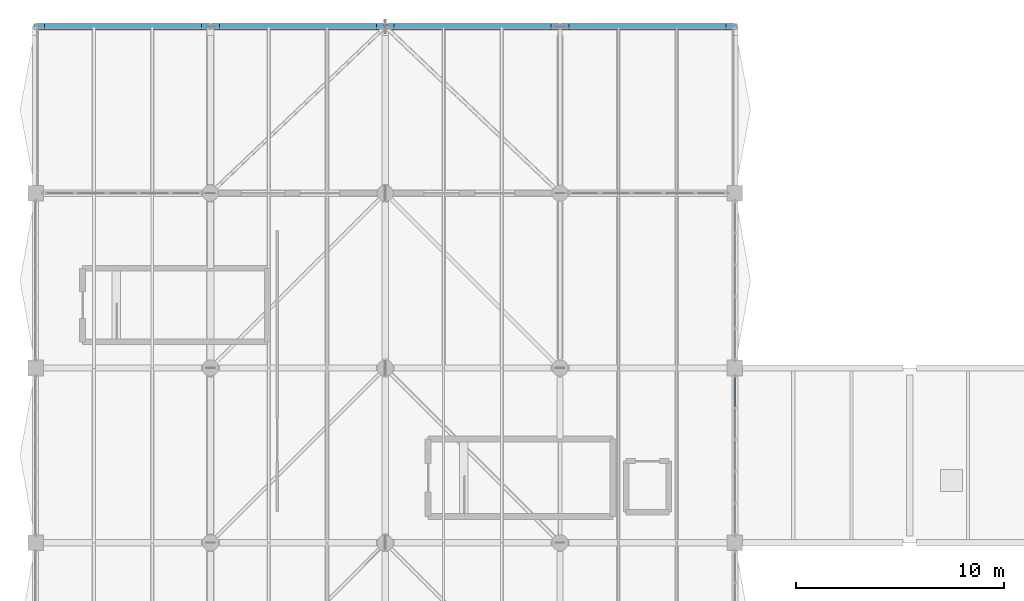
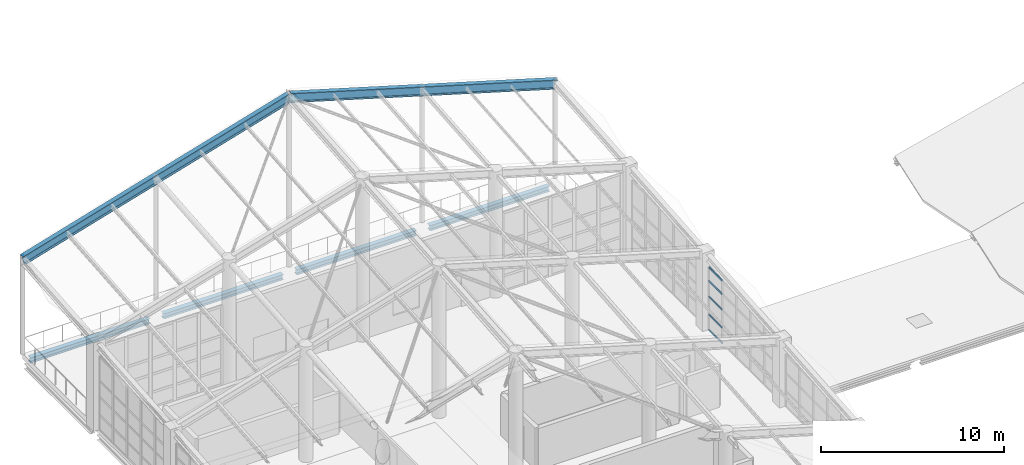
# One storey, part 48 of 95: 7 members, 4 beams, 1 element without a shape of its own.
"""IFC4 building model written with IfcOpenShell, lengths in metres."""

from ifc_helpers import new_model, si_unit, direction, frame, origin, origin_2d, place, context, subcontext, project, spatial, hollow_rectangle, i_section, extrude, material, layer, layer_set, material_profile, profile_set, type_object, element, aggregate, save


model = new_model("IFC4")

# Units and contexts
model_context = context("Model", 3, precision=1e-05, world=origin(), true_north=direction((0.0, 1.0)))
body_context = subcontext(model_context, "Body", "Model", "MODEL_VIEW")
ifc_project = project(units=[si_unit("LENGTHUNIT", "METRE"), si_unit("AREAUNIT", "SQUARE_METRE"), si_unit("VOLUMEUNIT", "CUBIC_METRE"), si_unit("PLANEANGLEUNIT", "RADIAN"), si_unit("MASSUNIT", "GRAM", prefix="KILO"), si_unit("THERMODYNAMICTEMPERATUREUNIT", "KELVIN"), si_unit("POWERUNIT", "WATT")], contexts=[model_context])

# Site, building, storey
site_placement = place(None, origin())
site = spatial("IfcSite", under=ifc_project, at=site_placement, CompositionType="ELEMENT")
building_placement = place(site_placement, origin())
building = spatial("IfcBuilding", under=site, at=building_placement, Name="Mavoryth Pier Ferry Terminal", CompositionType="ELEMENT")
storey_placement = place(building_placement, frame((0.0, 0.0, 9.60009765625)))
storey = spatial("IfcBuildingStorey", under=building, at=storey_placement, Name="L02", CompositionType="ELEMENT", Elevation=9.60009765625)

# Members
ifc_material_1 = material(Name="Steel S355J2", Category="steel")
ifc_material_profile_1 = material_profile(ifc_material_1, i_section(OverallWidth=0.300048828125, OverallDepth=0.60009765625, WebThickness=0.015380859375, FlangeThickness=0.030029296875, FilletRadius=0.027099609375, at=origin_2d()), Name="HEB 600", Category="steel")
ifc_profile_set_1 = profile_set([ifc_material_profile_1], Name="Steel S355J2 - HEB 600")
member_type_1 = type_object("IfcMemberType", Name="Rafter-Folded-HEB600", PredefinedType="RAFTER", material=ifc_profile_set_1)
for number, where, z_axis, x_axis, name in (
    (1, (0.0, 114.0, 6.266845703125), (0.958821022036, 0.0, 0.284010999261), (0.0, 1.0, 0.0), "Steel Member MB-L02-0023"),
    (2, (16.800048828125, 114.0, 11.2431640625), (0.958821022036, 0.0, -0.284010999261), (0.0, 1.0, 0.0), "Steel Member MB-L02-0024"),
):
    element("IfcMember", number, at=place(storey_placement, frame(where, z_axis=z_axis, x_axis=x_axis)), inside=storey, type_object=member_type_1, Name=name, PredefinedType="RAFTER", context=body_context, shape_type="SweptSolid", body=[
        extrude(i_section(OverallWidth=0.300048828125, OverallDepth=0.60009765625, WebThickness=0.015380859375, FlangeThickness=0.030029296875, FilletRadius=0.027099609375, at=origin_2d()), origin(), (0.0, 0.0, 1.0), 17.521484375),
    ])

# Beams
ifc_material_profile_2 = material_profile(ifc_material_1, i_section(OverallWidth=0.300048828125, OverallDepth=0.35009765625, WebThickness=0.010009765625, FlangeThickness=0.017578125, FilletRadius=0.027099609375, at=origin_2d()), Name="HEA 360", Category="steel")
ifc_profile_set_2 = profile_set([ifc_material_profile_2], Name="Steel S355J2 - HEA 360")
beam_type = type_object("IfcBeamType", Name="Spandrel-Steel-HEA360", PredefinedType="SPANDREL", material=ifc_profile_set_2)
for number, where, z_axis, x_axis, name in (
    (3, (0.425048828125, 114.0, -0.53515625), (1.0, 0.0, 0.0), (0.0, 1.0, 0.0), "Beam B02-SP03-0624"),
    (4, (8.824951171875, 114.0, -0.53515625), (1.0, 0.0, 0.0), (0.0, 1.0, 0.0), "Beam B02-SP03-0625"),
):
    element("IfcBeam", number, at=place(storey_placement, frame(where, z_axis=z_axis, x_axis=x_axis)), inside=storey, type_object=beam_type, Name=name, PredefinedType="SPANDREL", context=body_context, shape_type="SweptSolid", body=[
        extrude(i_section(OverallWidth=0.300048828125, OverallDepth=0.35009765625, WebThickness=0.010009765625, FlangeThickness=0.017578125, FilletRadius=0.027099609375, at=origin_2d()), origin(), (0.0, 0.0, 1.0), 7.550048828125),
    ])
beam_1_placement = place(storey_placement, frame((17.22509765625, 114.0, -0.53515625), z_axis=(1.0, 0.0, 0.0), x_axis=(0.0, 1.0, 0.0)))
element("IfcBeam", 5, at=beam_1_placement, inside=storey, type_object=beam_type, Name="Beam B02-SP03-0626", PredefinedType="SPANDREL", context=body_context, shape_type="SweptSolid", body=[
    extrude(i_section(OverallWidth=0.300048828125, OverallDepth=0.35009765625, WebThickness=0.010009765625, FlangeThickness=0.017578125, FilletRadius=0.027099609375, at=origin_2d()), origin(), (0.0, 0.0, 1.0), 7.5498046875),
])
beam_2_placement = place(storey_placement, frame((25.625, 114.0, -0.53515625), z_axis=(1.0, 0.0, 0.0), x_axis=(0.0, 1.0, 0.0)))
element("IfcBeam", 6, at=beam_2_placement, inside=storey, type_object=beam_type, Name="Beam B02-SP03-0627", PredefinedType="SPANDREL", context=body_context, shape_type="SweptSolid", body=[
    extrude(i_section(OverallWidth=0.300048828125, OverallDepth=0.35009765625, WebThickness=0.010009765625, FlangeThickness=0.017578125, FilletRadius=0.027099609375, at=origin_2d()), origin(), (0.0, 0.0, 1.0), 7.550048828125),
])

# Curtain wall, members
ifc_material_2 = material(Name="Anodised Aluminium and Solar-Control Low-E Glass", Category="aluminium")
ifc_layer = layer(ifc_material_2, 0.179931640625, Name="Anodised Aluminium and Solar-Control Low-E Glass", Category="aluminium")
ifc_layer_set = layer_set([ifc_layer], Name="Anodised Aluminium and Solar-Control Low-E Glass - CW-Concourse-Mod1400")
curtain_wall_type = type_object("IfcCurtainWallType", Name="CW-Concourse-Mod1400", PredefinedType="USERDEFINED", material=ifc_layer_set)
curtain_wall_placement = place(storey_placement, origin())
curtain_wall = element("IfcCurtainWall", 7, at=curtain_wall_placement, inside=storey, type_object=curtain_wall_type, Name="Curtain Wall CW-0222-029", ObjectType="UNITISED CURTAIN WALL", PredefinedType="USERDEFINED")
ifc_material_3 = material(Name="Anodised Aluminium EN AW-6063", Category="aluminium")
ifc_material_profile_3 = material_profile(ifc_material_3, hollow_rectangle(XDim=0.06005859375, YDim=0.125, WallThickness=0.00390625, InnerFilletRadius=0.00390625, OuterFilletRadius=0.008056640625, at=origin_2d()), Name="AL-TRAN 125x60x4", Category="aluminium")
ifc_profile_set_3 = profile_set([ifc_material_profile_3], Name="Anodised Aluminium EN AW-6063 - AL-TRAN 125x60x4")
member_type_2 = type_object("IfcMemberType", Name="Transom-Alum-125x60", PredefinedType="USERDEFINED", material=ifc_profile_set_3)
member_1_placement = place(storey_placement, frame((33.60009765625, 95.72509765625, 0.02978515625), z_axis=(0.0, 1.0, 0.0), x_axis=(-1.0, 0.0, 0.0)))
member_1 = element("IfcMember", 8, at=member_1_placement, type_object=member_type_2, Name="CW01 transom 5.1", ObjectType="TRANSOM", PredefinedType="USERDEFINED", context=body_context, shape_type="SweptSolid", body=[
    extrude(hollow_rectangle(XDim=0.06005859375, YDim=0.125, WallThickness=0.00390625, InnerFilletRadius=0.00390625, OuterFilletRadius=0.008056640625, at=origin_2d()), origin(), (0.0, 0.0, 1.0), 1.43994140625),
])
member_2_placement = place(storey_placement, frame((33.60009765625, 95.72509765625, 1.0498046875), z_axis=(0.0, 1.0, 0.0), x_axis=(-1.0, 0.0, 0.0)))
member_2 = element("IfcMember", 9, at=member_2_placement, type_object=member_type_2, Name="CW01 transom 5.2", ObjectType="TRANSOM", PredefinedType="USERDEFINED", context=body_context, shape_type="SweptSolid", body=[
    extrude(hollow_rectangle(XDim=0.06005859375, YDim=0.125, WallThickness=0.00390625, InnerFilletRadius=0.00390625, OuterFilletRadius=0.008056640625, at=origin_2d()), origin(), (0.0, 0.0, 1.0), 1.43994140625),
])
member_3_placement = place(storey_placement, frame((33.60009765625, 95.72509765625, 2.25), z_axis=(0.0, 1.0, 0.0), x_axis=(-1.0, 0.0, 0.0)))
member_3 = element("IfcMember", 10, at=member_3_placement, type_object=member_type_2, Name="CW01 transom 5.3", ObjectType="TRANSOM", PredefinedType="USERDEFINED", context=body_context, shape_type="SweptSolid", body=[
    extrude(hollow_rectangle(XDim=0.06005859375, YDim=0.125, WallThickness=0.00390625, InnerFilletRadius=0.00390625, OuterFilletRadius=0.008056640625, at=origin_2d()), origin(), (0.0, 0.0, 1.0), 1.43994140625),
])
member_4_placement = place(storey_placement, frame((33.60009765625, 95.72509765625, 3.2998046875), z_axis=(0.0, 1.0, 0.0), x_axis=(-1.0, 0.0, 0.0)))
member_4 = element("IfcMember", 11, at=member_4_placement, type_object=member_type_2, Name="CW01 transom 5.4", ObjectType="TRANSOM", PredefinedType="USERDEFINED", context=body_context, shape_type="SweptSolid", body=[
    extrude(hollow_rectangle(XDim=0.06005859375, YDim=0.125, WallThickness=0.00390625, InnerFilletRadius=0.00390625, OuterFilletRadius=0.008056640625, at=origin_2d()), origin(), (0.0, 0.0, 1.0), 1.43994140625),
])
member_5_placement = place(storey_placement, frame((33.60009765625, 95.72509765625, 4.191650390625), z_axis=(0.0, 1.0, 0.0), x_axis=(-1.0, 0.0, 0.0)))
member_5 = element("IfcMember", 12, at=member_5_placement, type_object=member_type_2, Name="CW01 transom 5.5", ObjectType="TRANSOM", PredefinedType="USERDEFINED", context=body_context, shape_type="SweptSolid", body=[
    extrude(hollow_rectangle(XDim=0.06005859375, YDim=0.125, WallThickness=0.00390625, InnerFilletRadius=0.00390625, OuterFilletRadius=0.008056640625, at=origin_2d()), origin(), (0.0, 0.0, 1.0), 1.43994140625),
])
aggregate(curtain_wall, [member_1, member_2, member_3, member_4, member_5])

save(model, "model.ifc")
